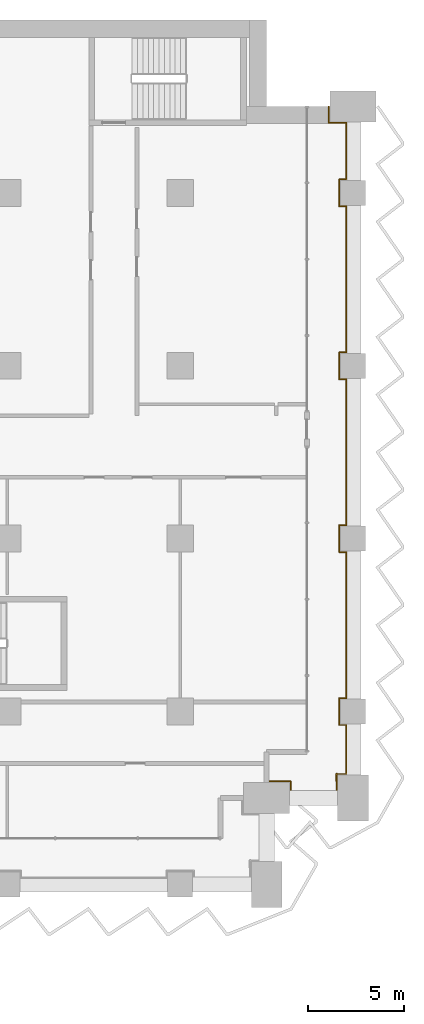
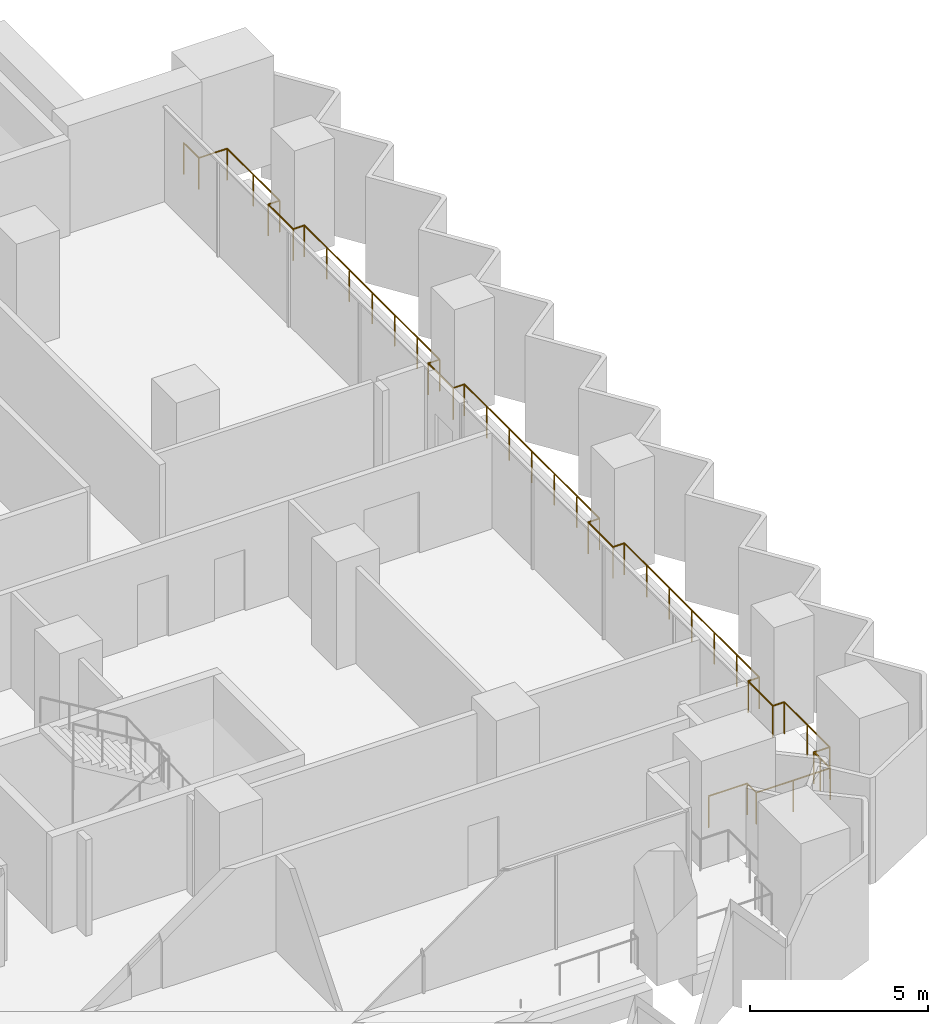
# One storey, part 29 of 29: 1 railing.
"""IFC4 building model written with IfcOpenShell, lengths in metres."""

from ifc_helpers import new_model, si_unit, direction, frame, origin, origin_2d, place, context, subcontext, project, spatial, circle, extrude, material, type_object, element, save


model = new_model("IFC4")

# Units and contexts
model_context = context("Model", 3, precision=1e-05, world=origin(), true_north=direction((0.0, 1.0)))
body_context = subcontext(model_context, "Body", "Model", "MODEL_VIEW")
ifc_project = project(units=[si_unit("LENGTHUNIT", "METRE"), si_unit("AREAUNIT", "SQUARE_METRE"), si_unit("VOLUMEUNIT", "CUBIC_METRE"), si_unit("PLANEANGLEUNIT", "RADIAN"), si_unit("MASSUNIT", "GRAM", prefix="KILO")], contexts=[model_context])

# Site, building, storey
site_placement = place(None, origin())
site = spatial("IfcSite", under=ifc_project, at=site_placement, CompositionType="ELEMENT")
building_placement = place(site_placement, origin())
building = spatial("IfcBuilding", under=site, at=building_placement, Name="Hunhe Ridgeline Campus", CompositionType="ELEMENT")
storey_placement = place(building_placement, frame((0.0, 0.0, 65.39990234375)))
storey = spatial("IfcBuildingStorey", under=building, at=storey_placement, Name="L15", CompositionType="ELEMENT", Elevation=65.39990234375)

# Railing
ifc_material = material(Name="Steel Q355", Category="steel")
railing_type = type_object("IfcRailingType", Name="Loggia guard 1100 Steel Q355", PredefinedType="GUARDRAIL", material=ifc_material)
railing_placement = place(storey_placement, frame((94.5, 59.3701171875, 0.0)))
element("IfcRailing", 1, at=railing_placement, inside=storey, type_object=railing_type, Name="Loggia guard 3", PredefinedType="GUARDRAIL", context=body_context, shape_type="SweptSolid", body=[
    extrude(circle(Radius=0.02392578125, at=origin_2d()), frame((0.0, 0.0, 1.076171875), z_axis=(1.0, 0.0, 0.0), x_axis=(0.0, 1.0, 0.0)), (0.0, 0.0, 1.0), 1.25),
    extrude(circle(Radius=0.02392578125, at=origin_2d()), frame((1.25, 0.0, 1.076171875), z_axis=(0.0, -1.0, 0.0), x_axis=(1.0, 0.0, 0.0)), (0.0, 0.0, 1.0), 0.52001953125),
    extrude(circle(Radius=0.02392578125, at=origin_2d()), frame((1.25, -0.52001953125, 1.076171875), z_axis=(1.0, 0.0, 0.0), x_axis=(0.0, 1.0, 0.0)), (0.0, 0.0, 1.0), 2.39990234375),
    extrude(circle(Radius=0.02392578125, at=origin_2d()), frame((3.64990234375, -0.52001953125, 1.076171875), z_axis=(0.0, 1.0, 0.0), x_axis=(-1.0, 0.0, 0.0)), (0.0, 0.0, 1.0), 0.919921875),
    extrude(circle(Radius=0.02392578125, at=origin_2d()), frame((3.64990234375, 0.39990234375, 1.076171875), z_axis=(-0.049998438503, -0.998749295943, 0.0), x_axis=(0.998749295943, -0.049998438503, 0.0)), (0.0, 0.0, 1.0), 0.400390625),
    extrude(circle(Radius=0.02392578125, at=origin_2d()), frame((3.6298828125, 0.0, 1.076171875), z_axis=(0.0, 1.0, 0.0), x_axis=(-1.0, 0.0, 0.0)), (0.0, 0.0, 1.0), 0.3798828125),
    extrude(circle(Radius=0.02392578125, at=origin_2d()), frame((3.6298828125, 0.3798828125, 1.076171875), z_axis=(1.0, 0.0, 0.0), x_axis=(0.0, 1.0, 0.0)), (0.0, 0.0, 1.0), 0.52001953125),
    extrude(circle(Radius=0.02392578125, at=origin_2d()), frame((4.14990234375, 0.3798828125, 1.076171875), z_axis=(0.0, 1.0, 0.0), x_axis=(-1.0, 0.0, 0.0)), (0.0, 0.0, 1.0), 2.550048828125),
    extrude(circle(Radius=0.02392578125, at=origin_2d()), frame((4.14990234375, 2.929931640625, 1.076171875), z_axis=(-1.0, 0.0, 0.0), x_axis=(0.0, -1.0, 0.0)), (0.0, 0.0, 1.0), 0.369873046875),
    extrude(circle(Radius=0.02392578125, at=origin_2d()), frame((3.780029296875, 2.929931640625, 1.076171875), z_axis=(0.0, 1.0, 0.0), x_axis=(-1.0, 0.0, 0.0)), (0.0, 0.0, 1.0), 1.39990234375),
    extrude(circle(Radius=0.02392578125, at=origin_2d()), frame((3.780029296875, 4.329833984375, 1.076171875), z_axis=(1.0, 0.0, 0.0), x_axis=(0.0, 1.0, 0.0)), (0.0, 0.0, 1.0), 0.369873046875),
    extrude(circle(Radius=0.02392578125, at=origin_2d()), frame((4.14990234375, 4.329833984375, 1.076171875), z_axis=(0.0, 1.0, 0.0), x_axis=(-1.0, 0.0, 0.0)), (0.0, 0.0, 1.0), 7.60009765625),
    extrude(circle(Radius=0.02392578125, at=origin_2d()), frame((4.14990234375, 11.929931640625, 1.076171875), z_axis=(-1.0, 0.0, 0.0), x_axis=(0.0, -1.0, 0.0)), (0.0, 0.0, 1.0), 0.369873046875),
    extrude(circle(Radius=0.02392578125, at=origin_2d()), frame((3.780029296875, 11.929931640625, 1.076171875), z_axis=(0.0, 1.0, 0.0), x_axis=(-1.0, 0.0, 0.0)), (0.0, 0.0, 1.0), 1.39990234375),
    extrude(circle(Radius=0.02392578125, at=origin_2d()), frame((3.780029296875, 13.329833984375, 1.076171875), z_axis=(1.0, 0.0, 0.0), x_axis=(0.0, 1.0, 0.0)), (0.0, 0.0, 1.0), 0.369873046875),
    extrude(circle(Radius=0.02392578125, at=origin_2d()), frame((4.14990234375, 13.329833984375, 1.076171875), z_axis=(0.0, 1.0, 0.0), x_axis=(-1.0, 0.0, 0.0)), (0.0, 0.0, 1.0), 7.60009765625),
    extrude(circle(Radius=0.02392578125, at=origin_2d()), frame((4.14990234375, 20.929931640625, 1.076171875), z_axis=(-1.0, 0.0, 0.0), x_axis=(0.0, -1.0, 0.0)), (0.0, 0.0, 1.0), 0.369873046875),
    extrude(circle(Radius=0.02392578125, at=origin_2d()), frame((3.780029296875, 20.929931640625, 1.076171875), z_axis=(0.0, 1.0, 0.0), x_axis=(-1.0, 0.0, 0.0)), (0.0, 0.0, 1.0), 1.39990234375),
    extrude(circle(Radius=0.02392578125, at=origin_2d()), frame((3.780029296875, 22.329833984375, 1.076171875), z_axis=(1.0, 0.0, 0.0), x_axis=(0.0, 1.0, 0.0)), (0.0, 0.0, 1.0), 0.369873046875),
    extrude(circle(Radius=0.02392578125, at=origin_2d()), frame((4.14990234375, 22.329833984375, 1.076171875), z_axis=(0.0, 1.0, 0.0), x_axis=(-1.0, 0.0, 0.0)), (0.0, 0.0, 1.0), 7.60009765625),
    extrude(circle(Radius=0.02392578125, at=origin_2d()), frame((4.14990234375, 29.929931640625, 1.076171875), z_axis=(-1.0, 0.0, 0.0), x_axis=(0.0, -1.0, 0.0)), (0.0, 0.0, 1.0), 0.369873046875),
    extrude(circle(Radius=0.02392578125, at=origin_2d()), frame((3.780029296875, 29.929931640625, 1.076171875), z_axis=(0.0, 1.0, 0.0), x_axis=(-1.0, 0.0, 0.0)), (0.0, 0.0, 1.0), 1.39990234375),
    extrude(circle(Radius=0.02392578125, at=origin_2d()), frame((3.780029296875, 31.329833984375, 1.076171875), z_axis=(1.0, 0.0, 0.0), x_axis=(0.0, 1.0, 0.0)), (0.0, 0.0, 1.0), 0.369873046875),
    extrude(circle(Radius=0.02392578125, at=origin_2d()), frame((4.14990234375, 31.329833984375, 1.076171875), z_axis=(0.0, 1.0, 0.0), x_axis=(-1.0, 0.0, 0.0)), (0.0, 0.0, 1.0), 2.949951171875),
    extrude(circle(Radius=0.02392578125, at=origin_2d()), frame((4.14990234375, 34.27978515625, 1.076171875), z_axis=(-1.0, 0.0, 0.0), x_axis=(0.0, -1.0, 0.0)), (0.0, 0.0, 1.0), 0.919921875),
    extrude(circle(Radius=0.02392578125, at=origin_2d()), frame((3.22998046875, 34.27978515625, 1.076171875), z_axis=(0.0, 1.0, 0.0), x_axis=(-1.0, 0.0, 0.0)), (0.0, 0.0, 1.0), 0.85009765625),
    extrude(circle(Radius=0.02099609375, at=origin_2d()), origin(), (0.0, 0.0, 1.0), 1.052001953125),
    extrude(circle(Radius=0.02099609375, at=origin_2d()), frame((1.25, 0.0, 0.0)), (0.0, 0.0, 1.0), 1.052001953125),
    extrude(circle(Radius=0.02099609375, at=origin_2d()), frame((1.25, -0.52001953125, 0.0)), (0.0, 0.0, 1.0), 1.052001953125),
    extrude(circle(Radius=0.02099609375, at=origin_2d()), frame((2.449951171875, -0.52001953125, 0.0)), (0.0, 0.0, 1.0), 1.052001953125),
    extrude(circle(Radius=0.02099609375, at=origin_2d()), frame((3.64990234375, -0.52001953125, 0.0)), (0.0, 0.0, 1.0), 1.052001953125),
    extrude(circle(Radius=0.02099609375, at=origin_2d()), frame((3.64990234375, 0.39990234375, 0.0)), (0.0, 0.0, 1.0), 1.052001953125),
    extrude(circle(Radius=0.02099609375, at=origin_2d()), frame((3.6298828125, 0.0, 0.0)), (0.0, 0.0, 1.0), 1.052001953125),
    extrude(circle(Radius=0.02099609375, at=origin_2d()), frame((3.6298828125, 0.3798828125, 0.0)), (0.0, 0.0, 1.0), 1.052001953125),
    extrude(circle(Radius=0.02099609375, at=origin_2d()), frame((4.14990234375, 0.3798828125, 0.0)), (0.0, 0.0, 1.0), 1.052001953125),
    extrude(circle(Radius=0.02099609375, at=origin_2d()), frame((4.14990234375, 1.65478515625, 0.0)), (0.0, 0.0, 1.0), 1.052001953125),
    extrude(circle(Radius=0.02099609375, at=origin_2d()), frame((4.14990234375, 2.929931640625, 0.0)), (0.0, 0.0, 1.0), 1.052001953125),
    extrude(circle(Radius=0.02099609375, at=origin_2d()), frame((3.780029296875, 2.929931640625, 0.0)), (0.0, 0.0, 1.0), 1.052001953125),
    extrude(circle(Radius=0.02099609375, at=origin_2d()), frame((3.780029296875, 4.329833984375, 0.0)), (0.0, 0.0, 1.0), 1.052001953125),
    extrude(circle(Radius=0.02099609375, at=origin_2d()), frame((4.14990234375, 4.329833984375, 0.0)), (0.0, 0.0, 1.0), 1.052001953125),
    extrude(circle(Radius=0.02099609375, at=origin_2d()), frame((4.14990234375, 5.596435546875, 0.0)), (0.0, 0.0, 1.0), 1.052001953125),
    extrude(circle(Radius=0.02099609375, at=origin_2d()), frame((4.14990234375, 6.86328125, 0.0)), (0.0, 0.0, 1.0), 1.052001953125),
    extrude(circle(Radius=0.02099609375, at=origin_2d()), frame((4.14990234375, 8.1298828125, 0.0)), (0.0, 0.0, 1.0), 1.052001953125),
    extrude(circle(Radius=0.02099609375, at=origin_2d()), frame((4.14990234375, 9.396484375, 0.0)), (0.0, 0.0, 1.0), 1.052001953125),
    extrude(circle(Radius=0.02099609375, at=origin_2d()), frame((4.14990234375, 10.663330078125, 0.0)), (0.0, 0.0, 1.0), 1.052001953125),
    extrude(circle(Radius=0.02099609375, at=origin_2d()), frame((4.14990234375, 11.929931640625, 0.0)), (0.0, 0.0, 1.0), 1.052001953125),
    extrude(circle(Radius=0.02099609375, at=origin_2d()), frame((3.780029296875, 11.929931640625, 0.0)), (0.0, 0.0, 1.0), 1.052001953125),
    extrude(circle(Radius=0.02099609375, at=origin_2d()), frame((3.780029296875, 13.329833984375, 0.0)), (0.0, 0.0, 1.0), 1.052001953125),
    extrude(circle(Radius=0.02099609375, at=origin_2d()), frame((4.14990234375, 13.329833984375, 0.0)), (0.0, 0.0, 1.0), 1.052001953125),
    extrude(circle(Radius=0.02099609375, at=origin_2d()), frame((4.14990234375, 14.596435546875, 0.0)), (0.0, 0.0, 1.0), 1.052001953125),
    extrude(circle(Radius=0.02099609375, at=origin_2d()), frame((4.14990234375, 15.86328125, 0.0)), (0.0, 0.0, 1.0), 1.052001953125),
    extrude(circle(Radius=0.02099609375, at=origin_2d()), frame((4.14990234375, 17.1298828125, 0.0)), (0.0, 0.0, 1.0), 1.052001953125),
    extrude(circle(Radius=0.02099609375, at=origin_2d()), frame((4.14990234375, 18.396484375, 0.0)), (0.0, 0.0, 1.0), 1.052001953125),
    extrude(circle(Radius=0.02099609375, at=origin_2d()), frame((4.14990234375, 19.663330078125, 0.0)), (0.0, 0.0, 1.0), 1.052001953125),
    extrude(circle(Radius=0.02099609375, at=origin_2d()), frame((4.14990234375, 20.929931640625, 0.0)), (0.0, 0.0, 1.0), 1.052001953125),
    extrude(circle(Radius=0.02099609375, at=origin_2d()), frame((3.780029296875, 20.929931640625, 0.0)), (0.0, 0.0, 1.0), 1.052001953125),
    extrude(circle(Radius=0.02099609375, at=origin_2d()), frame((3.780029296875, 22.329833984375, 0.0)), (0.0, 0.0, 1.0), 1.052001953125),
    extrude(circle(Radius=0.02099609375, at=origin_2d()), frame((4.14990234375, 22.329833984375, 0.0)), (0.0, 0.0, 1.0), 1.052001953125),
    extrude(circle(Radius=0.02099609375, at=origin_2d()), frame((4.14990234375, 23.596435546875, 0.0)), (0.0, 0.0, 1.0), 1.052001953125),
    extrude(circle(Radius=0.02099609375, at=origin_2d()), frame((4.14990234375, 24.86328125, 0.0)), (0.0, 0.0, 1.0), 1.052001953125),
    extrude(circle(Radius=0.02099609375, at=origin_2d()), frame((4.14990234375, 26.1298828125, 0.0)), (0.0, 0.0, 1.0), 1.052001953125),
    extrude(circle(Radius=0.02099609375, at=origin_2d()), frame((4.14990234375, 27.396484375, 0.0)), (0.0, 0.0, 1.0), 1.052001953125),
    extrude(circle(Radius=0.02099609375, at=origin_2d()), frame((4.14990234375, 28.663330078125, 0.0)), (0.0, 0.0, 1.0), 1.052001953125),
    extrude(circle(Radius=0.02099609375, at=origin_2d()), frame((4.14990234375, 29.929931640625, 0.0)), (0.0, 0.0, 1.0), 1.052001953125),
    extrude(circle(Radius=0.02099609375, at=origin_2d()), frame((3.780029296875, 29.929931640625, 0.0)), (0.0, 0.0, 1.0), 1.052001953125),
    extrude(circle(Radius=0.02099609375, at=origin_2d()), frame((3.780029296875, 31.329833984375, 0.0)), (0.0, 0.0, 1.0), 1.052001953125),
    extrude(circle(Radius=0.02099609375, at=origin_2d()), frame((4.14990234375, 31.329833984375, 0.0)), (0.0, 0.0, 1.0), 1.052001953125),
    extrude(circle(Radius=0.02099609375, at=origin_2d()), frame((4.14990234375, 32.8046875, 0.0)), (0.0, 0.0, 1.0), 1.052001953125),
    extrude(circle(Radius=0.02099609375, at=origin_2d()), frame((4.14990234375, 34.27978515625, 0.0)), (0.0, 0.0, 1.0), 1.052001953125),
    extrude(circle(Radius=0.02099609375, at=origin_2d()), frame((3.22998046875, 34.27978515625, 0.0)), (0.0, 0.0, 1.0), 1.052001953125),
    extrude(circle(Radius=0.02099609375, at=origin_2d()), frame((3.22998046875, 35.1298828125, 0.0)), (0.0, 0.0, 1.0), 1.052001953125),
])

save(model, "model.ifc")
